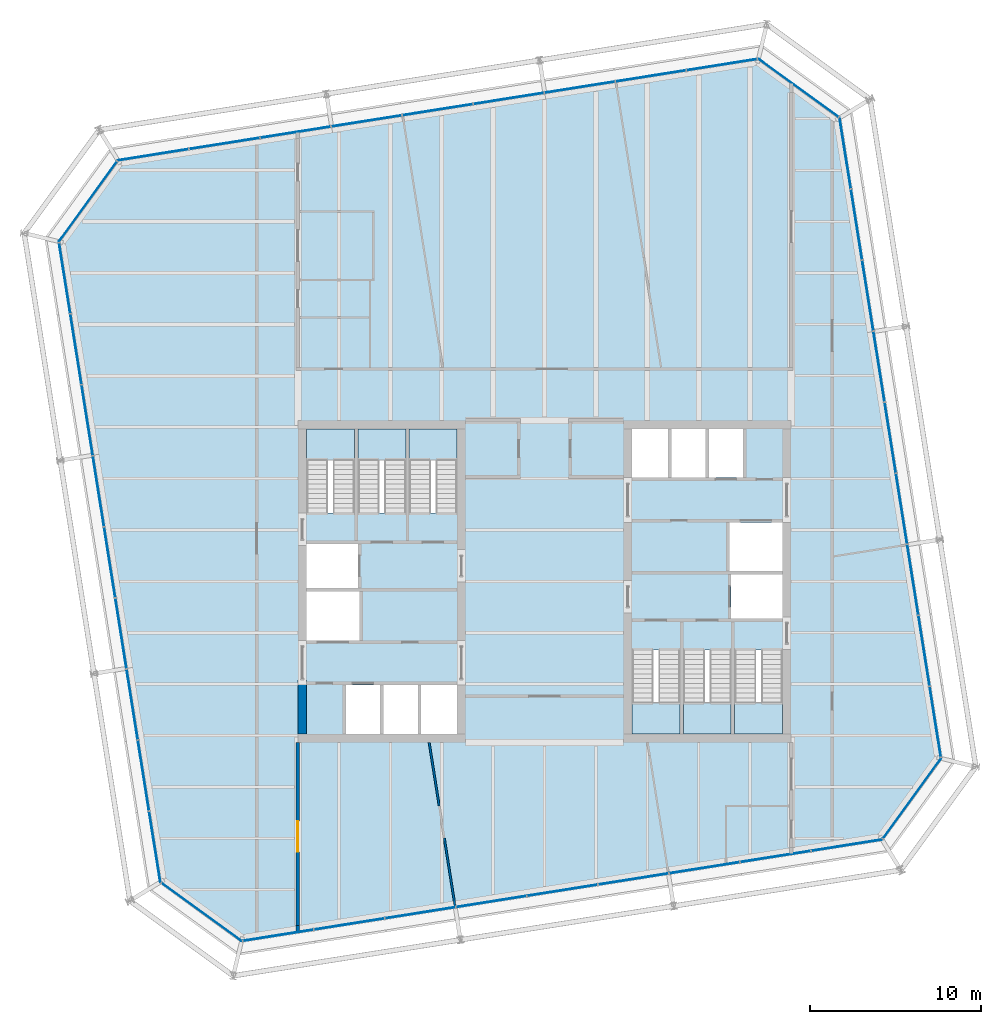
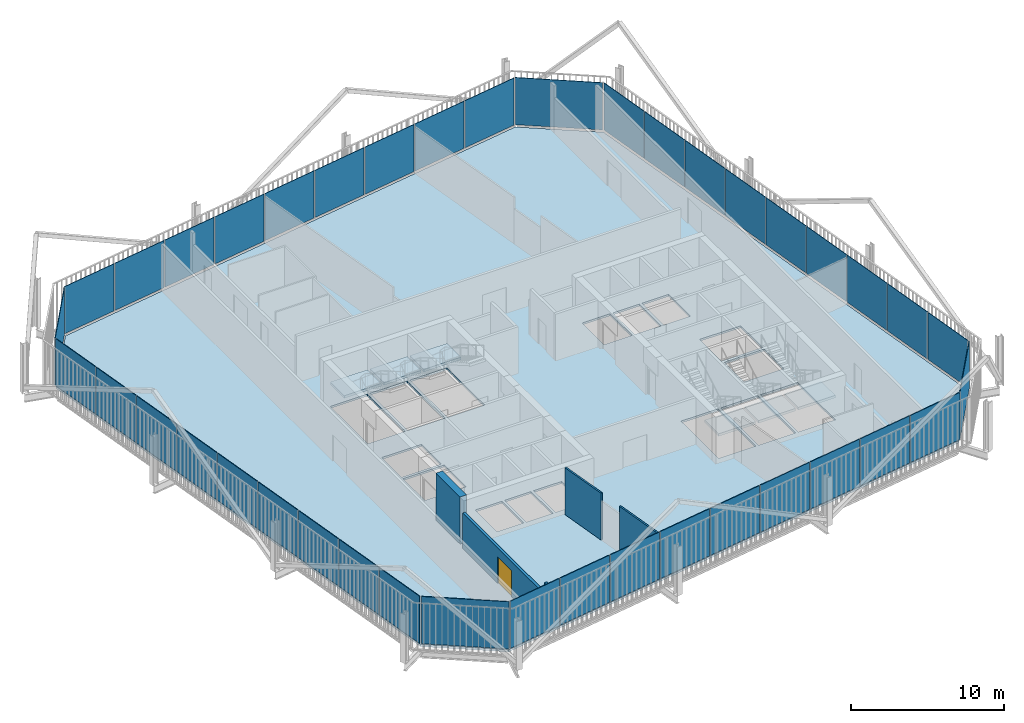
# One storey, part 16 of 21: 40 plates, 7 slabs, 5 walls, 1 door, 1 opening, 14 elements without a shape of their own.
"""IFC4 building model written with IfcOpenShell, lengths in metres."""

import ifcopenshell
import ifcopenshell.guid

model = None  # the IFC model being written
_history = None  # IfcOwnerHistory: only IFC2X3 demands one
_inside = {}  # id of a spatial element -> (the spatial element, [elements in it])
_under = {}  # id of a project, library or spatial element -> (it, [spatial elements below it])
_declared = {}  # id of a project -> (the project, [libraries it declares])
_typed = {}  # id of a type object -> (the type object, [elements of that type])
_made_of = {}  # id of a material, layer set ... -> (it, [elements and type objects made of it])


def new_model(schema):
    """Start an empty IFC model of exactly this schema.

    Asked for "IFC4X3", IfcOpenShell would pick the latest addendum, in which some entities
    have other attributes; the version numbers below select the first issue.
    IFC2X3 requires an IfcOwnerHistory on every rooted entity: one is made here for all.
    """
    global model, _history
    if schema == "IFC4X3":
        model = ifcopenshell.file(schema_version=(4, 3, 0, 0))
    else:
        model = ifcopenshell.file(schema=schema)
    _inside.clear()
    _under.clear()
    _declared.clear()
    _typed.clear()
    _made_of.clear()
    _history = None
    if model.schema == "IFC2X3":
        org = make("IfcOrganization", Name="unknown")
        user = make(
            "IfcPersonAndOrganization",
            ThePerson=make("IfcPerson", FamilyName="unknown"),
            TheOrganization=org,
        )
        app = make(
            "IfcApplication",
            ApplicationDeveloper=org,
            Version="unknown",
            ApplicationFullName="unknown",
            ApplicationIdentifier="unknown",
        )
        _history = make(
            "IfcOwnerHistory",
            OwningUser=user,
            OwningApplication=app,
            ChangeAction="ADDED",
            CreationDate=0,
        )
    return model


def make(cls, **values):
    """One entity of the class cls with the attributes given. An attribute that is None is left unset."""
    return model.create_entity(
        cls, **{name: value for name, value in values.items() if value is not None}
    )


def rooted(cls, **values):
    """An entity with a GlobalId (a new one), such as an element, a storey or a relation."""
    return make(cls, GlobalId=ifcopenshell.guid.new(), OwnerHistory=_history, **values)


def si_unit(unit_type, name, prefix=None):
    """IfcSIUnit, for example si_unit("LENGTHUNIT", "METRE", prefix="MILLI")."""
    return make("IfcSIUnit", UnitType=unit_type, Prefix=prefix, Name=name)


def assignment(units):
    """IfcUnitAssignment: the units of a project."""
    return None if units is None else make("IfcUnitAssignment", Units=units)


def point(xyz):
    """IfcCartesianPoint."""
    return None if xyz is None else make("IfcCartesianPoint", Coordinates=xyz)


def direction(xyz):
    """IfcDirection."""
    return None if xyz is None else make("IfcDirection", DirectionRatios=xyz)


def frame(location, z_axis=None, x_axis=None):
    """IfcAxis2Placement3D, a coordinate frame: its origin and axes. An axis left out is left unset."""
    return make(
        "IfcAxis2Placement3D",
        Location=point(location),
        Axis=direction(z_axis),
        RefDirection=direction(x_axis),
    )


def frame_2d(location, x_axis=None):
    """IfcAxis2Placement2D, a coordinate frame in the plane: its origin and x axis."""
    return make(
        "IfcAxis2Placement2D", Location=point(location), RefDirection=direction(x_axis)
    )


def origin():
    """The frame at (0, 0, 0) with its axes left unset."""
    return frame((0.0, 0.0, 0.0))


def place(relative_to, where):
    """IfcLocalPlacement: puts the frame where relative to a parent placement (None: the world)."""
    return make(
        "IfcLocalPlacement", PlacementRelTo=relative_to, RelativePlacement=where
    )


def context(
    kind, dimensions, precision=None, world=None, true_north=None, identifier=None
):
    """IfcGeometricRepresentationContext, for example the 3D "Model" context."""
    return make(
        "IfcGeometricRepresentationContext",
        ContextIdentifier=identifier,
        ContextType=kind,
        CoordinateSpaceDimension=dimensions,
        Precision=precision,
        WorldCoordinateSystem=world,
        TrueNorth=true_north,
    )


def subcontext(parent, identifier, kind, view, scale=None):
    """IfcGeometricRepresentationSubContext, for example "Body" below "Model"."""
    return make(
        "IfcGeometricRepresentationSubContext",
        ContextIdentifier=identifier,
        ContextType=kind,
        ParentContext=parent,
        TargetScale=scale,
        TargetView=view,
    )


def project(units=None, contexts=None):
    """IfcProject with its units and contexts."""
    return rooted(
        "IfcProject",
        Name="project",
        RepresentationContexts=contexts,
        UnitsInContext=assignment(units),
    )


def spatial(cls, under=None, at=None, **own):
    """A site, building, storey or space (cls), placed at a placement, below another one or the project."""
    s = rooted(cls, ObjectPlacement=at, **own)
    if under is not None:
        _under.setdefault(under.id(), (under, []))[1].append(s)
    return s


def polyline(points):
    """IfcPolyline through the points."""
    return make("IfcPolyline", Points=[point(p) for p in points])


def profile(cls, at=None, kind="AREA", **sizes):
    """A parametric profile (cls). Its sizes go by their IFC names, for example OverallWidth=200.0."""
    return make(cls, ProfileType=kind, Position=at, **sizes)


def rectangle(**sizes):
    """IfcRectangleProfileDef."""
    return profile("IfcRectangleProfileDef", **sizes)


def outline(outer, holes=None, kind="AREA"):
    """IfcArbitraryClosedProfileDef: a profile drawn as a closed curve; with holes, ...WithVoids."""
    if holes is None:
        return make("IfcArbitraryClosedProfileDef", ProfileType=kind, OuterCurve=outer)
    return make(
        "IfcArbitraryProfileDefWithVoids",
        ProfileType=kind,
        OuterCurve=outer,
        InnerCurves=holes,
    )


def extrude(swept, where, along, depth):
    """IfcExtrudedAreaSolid: the profile swept, set in the frame where, extruded along a direction by depth."""
    return make(
        "IfcExtrudedAreaSolid",
        SweptArea=swept,
        Position=where,
        ExtrudedDirection=direction(along),
        Depth=depth,
    )


def shape(context_of_items, identifier, shape_type, items):
    """IfcShapeRepresentation: the items that make up one representation, for example the "Body"."""
    return make(
        "IfcShapeRepresentation",
        ContextOfItems=context_of_items,
        RepresentationIdentifier=identifier,
        RepresentationType=shape_type,
        Items=items,
    )


def material(Name=None, Category=None):
    """IfcMaterial."""
    return make("IfcMaterial", Name=Name, Category=Category)


def layer(
    of_material, thickness, ventilated=None, Name=None, Category=None, Priority=None
):
    """IfcMaterialLayer: one layer of a wall or slab, of a material (None: an air gap)."""
    return make(
        "IfcMaterialLayer",
        Material=of_material,
        LayerThickness=thickness,
        IsVentilated=ventilated,
        Name=Name,
        Category=Category,
        Priority=Priority,
    )


def layer_set(layers, Name=None):
    """IfcMaterialLayerSet."""
    return make("IfcMaterialLayerSet", MaterialLayers=layers, LayerSetName=Name)


def made_of(thing, what):
    """Note that an element or type object is made of a material, layer set ...; save() writes the relation."""
    if what is not None:
        _made_of.setdefault(what.id(), (what, []))[1].append(thing)
    return thing


def type_object(cls, material=None, **own):
    """A type object (cls), such as IfcWallType, which elements share."""
    return made_of(rooted(cls, **own), material)


def element(
    cls,
    number,
    at=None,
    inside=None,
    cuts=None,
    type_object=None,
    material=None,
    context=None,
    identifier="Body",
    shape_type=None,
    held_by="IfcProductDefinitionShape",
    body=None,
    shapes=None,
    **own,
):
    """One element of the class cls, such as IfcWall. Its Tag is "e" and its number.

    at: its placement. inside: the storey or other place that contains it. cuts: it is an
    opening in that element (IfcRelVoidsElement). A single representation is given by context,
    identifier, shape_type and body (its items); several are given by shapes. held_by: the class
    of the entity that holds the representations. save() writes the other relations.
    """
    e = rooted(cls, Tag="e%d" % number, ObjectPlacement=at, **own)
    if body is not None:
        shapes = [shape(context, identifier, shape_type, body)]
    if shapes is not None:
        e.Representation = make(held_by, Representations=shapes)
    if inside is not None:
        _inside.setdefault(inside.id(), (inside, []))[1].append(e)
    if cuts is not None:
        rooted(
            "IfcRelVoidsElement", RelatingBuildingElement=cuts, RelatedOpeningElement=e
        )
    if type_object is not None:
        _typed.setdefault(type_object.id(), (type_object, []))[1].append(e)
    return made_of(e, material)


def fill(opening, filler):
    """IfcRelFillsElement: the door or window that sits in an opening."""
    return rooted(
        "IfcRelFillsElement",
        RelatingOpeningElement=opening,
        RelatedBuildingElement=filler,
    )


def aggregate(whole, parts):
    """IfcRelAggregates: a whole, such as a stair, and the parts it consists of."""
    return rooted("IfcRelAggregates", RelatingObject=whole, RelatedObjects=parts)


def save(model, path):
    """Write the relations noted so far, then the file.

    IfcRelAggregates (storeys below a building ...), IfcRelContainedInSpatialStructure (elements
    in a storey), IfcRelDefinesByType, IfcRelAssociatesMaterial and IfcRelDeclares: one each for
    every whole, place, type object, material and project.
    """
    for whole, parts in _under.values():
        aggregate(whole, parts)
    for where, things in _inside.values():
        rooted(
            "IfcRelContainedInSpatialStructure",
            RelatedElements=things,
            RelatingStructure=where,
        )
    for kind, things in _typed.values():
        rooted("IfcRelDefinesByType", RelatedObjects=things, RelatingType=kind)
    for what, things in _made_of.values():
        rooted("IfcRelAssociatesMaterial", RelatedObjects=things, RelatingMaterial=what)
    for by, libraries in _declared.values():
        rooted("IfcRelDeclares", RelatingContext=by, RelatedDefinitions=libraries)
    model.write(path)


model = new_model("IFC4")

# Units and contexts
model_context = context("Model", 3, precision=1e-05, world=origin(), true_north=direction((0.0, 1.0)))
body_context = subcontext(model_context, "Body", "Model", "MODEL_VIEW")
ifc_project = project(units=[si_unit("LENGTHUNIT", "METRE"), si_unit("AREAUNIT", "SQUARE_METRE"), si_unit("VOLUMEUNIT", "CUBIC_METRE"), si_unit("PLANEANGLEUNIT", "RADIAN"), si_unit("MASSUNIT", "GRAM", prefix="KILO")], contexts=[model_context])

# Site, building, storey
site_placement = place(None, origin())
site = spatial("IfcSite", under=ifc_project, at=site_placement, CompositionType="ELEMENT")
building_placement = place(site_placement, origin())
building = spatial("IfcBuilding", under=site, at=building_placement, Name="Millrace Tower", CompositionType="ELEMENT")
storey_placement = place(building_placement, frame((0.0, 0.0, 228.10009765625)))
storey = spatial("IfcBuildingStorey", under=building, at=storey_placement, Name="L52", CompositionType="ELEMENT", Elevation=228.10009765625)

# Curtain wall, plate
ifc_material_1 = material(Name="Aluminium and glass", Category="aluminium")
ifc_layer_1 = layer(ifc_material_1, 0.14990234375)
ifc_layer_set_1 = layer_set([ifc_layer_1], Name="Aluminium and glass")
curtain_wall_type = type_object("IfcCurtainWallType", Name="CW-1 office vision curtain wall", PredefinedType="NOTDEFINED", material=ifc_layer_set_1)
placement_1 = place(storey_placement, origin())
curtain_wall_1 = element("IfcCurtainWall", 1, at=placement_1, inside=storey, type_object=curtain_wall_type, Name="Curtain wall D-F01 L52", PredefinedType="NOTDEFINED")
ifc_material_2 = material(Name="Glass", Category="glass")
ifc_layer_2 = layer(ifc_material_2, 0.0439453125)
ifc_layer_set_2 = layer_set([ifc_layer_2], Name="Glass")
plate_type = type_object("IfcPlateType", Name="CW-1 office vision curtain wall triple-glazed vision panel", PredefinedType="CURTAIN_PANEL", material=ifc_layer_set_2)
placement_2 = place(storey_placement, frame((0.0, 0.0, 0.139892578125)))
plate_1 = element("IfcPlate", 2, at=placement_2, type_object=plate_type, Name="CW1 panel D-F01.1", PredefinedType="CURTAIN_PANEL", context=body_context, shape_type="SweptSolid", body=[
    extrude(outline(polyline([(-22.36474609375, -17.632080078125), (-17.69384765625, -21.025634765625), (-17.6826171875, -20.979248046875), (-22.3388671875, -17.596435546875), (-22.36474609375, -17.632080078125)])), origin(), (0.0, 0.0, 1.0), 3.760009765625),
])
aggregate(curtain_wall_1, [plate_1])

# Curtain wall, plates
curtain_wall_2 = element("IfcCurtainWall", 3, at=placement_1, inside=storey, type_object=curtain_wall_type, Name="Curtain wall D-F02 L52", PredefinedType="NOTDEFINED")
plate_2 = element("IfcPlate", 4, at=placement_2, type_object=plate_type, Name="CW1 panel D-F02.1", PredefinedType="CURTAIN_PANEL", context=body_context, shape_type="SweptSolid", body=[
    extrude(outline(polyline([(-17.58984375, -21.009033203125), (-13.505859375, -20.3623046875), (-13.5126953125, -20.31884765625), (-17.596923828125, -20.965576171875), (-17.58984375, -21.009033203125)])), origin(), (0.0, 0.0, 1.0), 3.760009765625),
])
plate_3 = element("IfcPlate", 5, at=placement_2, type_object=plate_type, Name="CW1 panel D-F02.2", PredefinedType="CURTAIN_PANEL", context=body_context, shape_type="SweptSolid", body=[
    extrude(outline(polyline([(-13.441650390625, -20.35205078125), (-9.357666015625, -19.705078125), (-9.364501953125, -19.66162109375), (-13.448486328125, -20.30859375), (-13.441650390625, -20.35205078125)])), origin(), (0.0, 0.0, 1.0), 3.760009765625),
])
plate_4 = element("IfcPlate", 6, at=placement_2, type_object=plate_type, Name="CW1 panel D-F02.3", PredefinedType="CURTAIN_PANEL", context=body_context, shape_type="SweptSolid", body=[
    extrude(outline(polyline([(-9.29345703125, -19.695068359375), (-5.209228515625, -19.048095703125), (-5.216064453125, -19.004638671875), (-9.30029296875, -19.651611328125), (-9.29345703125, -19.695068359375)])), origin(), (0.0, 0.0, 1.0), 3.760009765625),
])
plate_5 = element("IfcPlate", 7, at=placement_2, type_object=plate_type, Name="CW1 panel D-F02.4", PredefinedType="CURTAIN_PANEL", context=body_context, shape_type="SweptSolid", body=[
    extrude(outline(polyline([(-5.14501953125, -19.0380859375), (-1.06103515625, -18.39111328125), (-1.06787109375, -18.34765625), (-5.15185546875, -18.99462890625), (-5.14501953125, -19.0380859375)])), origin(), (0.0, 0.0, 1.0), 3.760009765625),
])
plate_6 = element("IfcPlate", 8, at=placement_2, type_object=plate_type, Name="CW1 panel D-F02.5", PredefinedType="CURTAIN_PANEL", context=body_context, shape_type="SweptSolid", body=[
    extrude(outline(polyline([(-0.996826171875, -18.380859375), (3.08740234375, -17.734130859375), (3.080322265625, -17.690673828125), (-1.003662109375, -18.33740234375), (-0.996826171875, -18.380859375)])), origin(), (0.0, 0.0, 1.0), 3.760009765625),
])
plate_7 = element("IfcPlate", 9, at=placement_2, type_object=plate_type, Name="CW1 panel D-F02.6", PredefinedType="CURTAIN_PANEL", context=body_context, shape_type="SweptSolid", body=[
    extrude(outline(polyline([(3.151611328125, -17.723876953125), (7.235595703125, -17.0771484375), (7.228759765625, -17.03369140625), (3.14453125, -17.680419921875), (3.151611328125, -17.723876953125)])), origin(), (0.0, 0.0, 1.0), 3.760009765625),
])
plate_8 = element("IfcPlate", 10, at=placement_2, type_object=plate_type, Name="CW1 panel D-F02.7", PredefinedType="CURTAIN_PANEL", context=body_context, shape_type="SweptSolid", body=[
    extrude(outline(polyline([(7.2998046875, -17.06689453125), (11.3837890625, -16.420166015625), (11.376953125, -16.376708984375), (7.29296875, -17.0234375), (7.2998046875, -17.06689453125)])), origin(), (0.0, 0.0, 1.0), 3.760009765625),
])
plate_9 = element("IfcPlate", 11, at=placement_2, type_object=plate_type, Name="CW1 panel D-F02.8", PredefinedType="CURTAIN_PANEL", context=body_context, shape_type="SweptSolid", body=[
    extrude(outline(polyline([(11.447998046875, -16.409912109375), (15.5322265625, -15.762939453125), (15.525390625, -15.719482421875), (11.441162109375, -16.366455078125), (11.447998046875, -16.409912109375)])), origin(), (0.0, 0.0, 1.0), 3.760009765625),
])
plate_10 = element("IfcPlate", 12, at=placement_2, type_object=plate_type, Name="CW1 panel D-F02.9", PredefinedType="CURTAIN_PANEL", context=body_context, shape_type="SweptSolid", body=[
    extrude(outline(polyline([(15.596435546875, -15.7529296875), (19.72021484375, -15.099853515625), (19.6953125, -15.05908203125), (15.589599609375, -15.70947265625), (15.596435546875, -15.7529296875)])), origin(), (0.0, 0.0, 1.0), 3.760009765625),
])
aggregate(curtain_wall_2, [plate_2, plate_3, plate_4, plate_5, plate_6, plate_7, plate_8, plate_9, plate_10])

# Curtain wall, plate
curtain_wall_3 = element("IfcCurtainWall", 13, at=placement_1, inside=storey, type_object=curtain_wall_type, Name="Curtain wall D-F03 L52", PredefinedType="NOTDEFINED")
plate_11 = element("IfcPlate", 14, at=placement_2, type_object=plate_type, Name="CW1 panel D-F03.1", PredefinedType="CURTAIN_PANEL", context=body_context, shape_type="SweptSolid", body=[
    extrude(outline(polyline([(19.781982421875, -15.0146484375), (23.175537109375, -10.34375), (23.129150390625, -10.332763671875), (19.746337890625, -14.98876953125), (19.781982421875, -15.0146484375)])), origin(), (0.0, 0.0, 1.0), 3.760009765625),
])
aggregate(curtain_wall_3, [plate_11])

# Curtain wall, plates
curtain_wall_4 = element("IfcCurtainWall", 15, at=placement_1, inside=storey, type_object=curtain_wall_type, Name="Curtain wall D-F04 L52", PredefinedType="NOTDEFINED")
plate_12 = element("IfcPlate", 16, at=placement_2, type_object=plate_type, Name="CW1 panel D-F04.1", PredefinedType="CURTAIN_PANEL", context=body_context, shape_type="SweptSolid", body=[
    extrude(outline(polyline([(23.1591796875, -10.239990234375), (22.51220703125, -6.15576171875), (22.46875, -6.162841796875), (23.11572265625, -10.246826171875), (23.1591796875, -10.239990234375)])), origin(), (0.0, 0.0, 1.0), 3.760009765625),
])
plate_13 = element("IfcPlate", 17, at=placement_2, type_object=plate_type, Name="CW1 panel D-F04.2", PredefinedType="CURTAIN_PANEL", context=body_context, shape_type="SweptSolid", body=[
    extrude(outline(polyline([(22.501953125, -6.091552734375), (21.855224609375, -2.007568359375), (21.811767578125, -2.014404296875), (22.45849609375, -6.0986328125), (22.501953125, -6.091552734375)])), origin(), (0.0, 0.0, 1.0), 3.760009765625),
])
plate_14 = element("IfcPlate", 18, at=placement_2, type_object=plate_type, Name="CW1 panel D-F04.3", PredefinedType="CURTAIN_PANEL", context=body_context, shape_type="SweptSolid", body=[
    extrude(outline(polyline([(21.844970703125, -1.943359375), (21.1982421875, 2.140625), (21.15478515625, 2.1337890625), (21.801513671875, -1.9501953125), (21.844970703125, -1.943359375)])), origin(), (0.0, 0.0, 1.0), 3.760009765625),
])
plate_15 = element("IfcPlate", 19, at=placement_2, type_object=plate_type, Name="CW1 panel D-F04.4", PredefinedType="CURTAIN_PANEL", context=body_context, shape_type="SweptSolid", body=[
    extrude(outline(polyline([(21.18798828125, 2.204833984375), (20.541259765625, 6.2890625), (20.497802734375, 6.2822265625), (21.14453125, 2.197998046875), (21.18798828125, 2.204833984375)])), origin(), (0.0, 0.0, 1.0), 3.760009765625),
])
plate_16 = element("IfcPlate", 20, at=placement_2, type_object=plate_type, Name="CW1 panel D-F04.5", PredefinedType="CURTAIN_PANEL", context=body_context, shape_type="SweptSolid", body=[
    extrude(outline(polyline([(20.531005859375, 6.353271484375), (19.884033203125, 10.437255859375), (19.840576171875, 10.430419921875), (20.487548828125, 6.346435546875), (20.531005859375, 6.353271484375)])), origin(), (0.0, 0.0, 1.0), 3.760009765625),
])
plate_17 = element("IfcPlate", 21, at=placement_2, type_object=plate_type, Name="CW1 panel D-F04.6", PredefinedType="CURTAIN_PANEL", context=body_context, shape_type="SweptSolid", body=[
    extrude(outline(polyline([(19.8740234375, 10.50146484375), (19.22705078125, 14.585693359375), (19.18359375, 14.57861328125), (19.83056640625, 10.49462890625), (19.8740234375, 10.50146484375)])), origin(), (0.0, 0.0, 1.0), 3.760009765625),
])
plate_18 = element("IfcPlate", 22, at=placement_2, type_object=plate_type, Name="CW1 panel D-F04.7", PredefinedType="CURTAIN_PANEL", context=body_context, shape_type="SweptSolid", body=[
    extrude(outline(polyline([(19.217041015625, 14.64990234375), (18.570068359375, 18.73388671875), (18.526611328125, 18.72705078125), (19.173583984375, 14.642822265625), (19.217041015625, 14.64990234375)])), origin(), (0.0, 0.0, 1.0), 3.760009765625),
])
plate_19 = element("IfcPlate", 23, at=placement_2, type_object=plate_type, Name="CW1 panel D-F04.8", PredefinedType="CURTAIN_PANEL", context=body_context, shape_type="SweptSolid", body=[
    extrude(outline(polyline([(18.559814453125, 18.798095703125), (17.9130859375, 22.882080078125), (17.86962890625, 22.875244140625), (18.516357421875, 18.791259765625), (18.559814453125, 18.798095703125)])), origin(), (0.0, 0.0, 1.0), 3.760009765625),
])
plate_20 = element("IfcPlate", 24, at=placement_2, type_object=plate_type, Name="CW1 panel D-F04.9", PredefinedType="CURTAIN_PANEL", context=body_context, shape_type="SweptSolid", body=[
    extrude(outline(polyline([(17.90283203125, 22.9462890625), (17.249755859375, 27.070068359375), (17.209228515625, 27.045166015625), (17.859375, 22.939453125), (17.90283203125, 22.9462890625)])), origin(), (0.0, 0.0, 1.0), 3.760009765625),
])
aggregate(curtain_wall_4, [plate_12, plate_13, plate_14, plate_15, plate_16, plate_17, plate_18, plate_19, plate_20])

# Curtain wall, plate
curtain_wall_5 = element("IfcCurtainWall", 25, at=placement_1, inside=storey, type_object=curtain_wall_type, Name="Curtain wall D-F05 L52", PredefinedType="NOTDEFINED")
plate_21 = element("IfcPlate", 26, at=placement_2, type_object=plate_type, Name="CW1 panel D-F05.1", PredefinedType="CURTAIN_PANEL", context=body_context, shape_type="SweptSolid", body=[
    extrude(outline(polyline([(17.16455078125, 27.132080078125), (12.493896484375, 30.525634765625), (12.482666015625, 30.479248046875), (17.138671875, 27.096435546875), (17.16455078125, 27.132080078125)])), origin(), (0.0, 0.0, 1.0), 3.760009765625),
])
aggregate(curtain_wall_5, [plate_21])

# Curtain wall, plates
curtain_wall_6 = element("IfcCurtainWall", 27, at=placement_1, inside=storey, type_object=curtain_wall_type, Name="Curtain wall D-F06 L52", PredefinedType="NOTDEFINED")
plate_22 = element("IfcPlate", 28, at=placement_2, type_object=plate_type, Name="CW1 panel D-F06.1", PredefinedType="CURTAIN_PANEL", context=body_context, shape_type="SweptSolid", body=[
    extrude(outline(polyline([(12.389892578125, 30.509033203125), (8.305908203125, 29.8623046875), (8.312744140625, 29.81884765625), (12.396728515625, 30.465576171875), (12.389892578125, 30.509033203125)])), origin(), (0.0, 0.0, 1.0), 3.760009765625),
])
plate_23 = element("IfcPlate", 29, at=placement_2, type_object=plate_type, Name="CW1 panel D-F06.2", PredefinedType="CURTAIN_PANEL", context=body_context, shape_type="SweptSolid", body=[
    extrude(outline(polyline([(8.24169921875, 29.85205078125), (4.157470703125, 29.205078125), (4.16455078125, 29.16162109375), (8.24853515625, 29.80859375), (8.24169921875, 29.85205078125)])), origin(), (0.0, 0.0, 1.0), 3.760009765625),
])
plate_24 = element("IfcPlate", 30, at=placement_2, type_object=plate_type, Name="CW1 panel D-F06.3", PredefinedType="CURTAIN_PANEL", context=body_context, shape_type="SweptSolid", body=[
    extrude(outline(polyline([(4.09326171875, 29.195068359375), (0.00927734375, 28.548095703125), (0.01611328125, 28.504638671875), (4.100341796875, 29.151611328125), (4.09326171875, 29.195068359375)])), origin(), (0.0, 0.0, 1.0), 3.760009765625),
])
plate_25 = element("IfcPlate", 31, at=placement_2, type_object=plate_type, Name="CW1 panel D-F06.4", PredefinedType="CURTAIN_PANEL", context=body_context, shape_type="SweptSolid", body=[
    extrude(outline(polyline([(-0.054931640625, 28.5380859375), (-4.138916015625, 27.89111328125), (-4.132080078125, 27.84765625), (-0.048095703125, 28.49462890625), (-0.054931640625, 28.5380859375)])), origin(), (0.0, 0.0, 1.0), 3.760009765625),
])
plate_26 = element("IfcPlate", 32, at=placement_2, type_object=plate_type, Name="CW1 panel D-F06.5", PredefinedType="CURTAIN_PANEL", context=body_context, shape_type="SweptSolid", body=[
    extrude(outline(polyline([(-4.203125, 27.880859375), (-8.287353515625, 27.234130859375), (-8.280517578125, 27.190673828125), (-4.1962890625, 27.83740234375), (-4.203125, 27.880859375)])), origin(), (0.0, 0.0, 1.0), 3.760009765625),
])
plate_27 = element("IfcPlate", 33, at=placement_2, type_object=plate_type, Name="CW1 panel D-F06.6", PredefinedType="CURTAIN_PANEL", context=body_context, shape_type="SweptSolid", body=[
    extrude(outline(polyline([(-8.3515625, 27.223876953125), (-12.435546875, 26.5771484375), (-12.4287109375, 26.53369140625), (-8.3447265625, 27.180419921875), (-8.3515625, 27.223876953125)])), origin(), (0.0, 0.0, 1.0), 3.760009765625),
])
plate_28 = element("IfcPlate", 34, at=placement_2, type_object=plate_type, Name="CW1 panel D-F06.7", PredefinedType="CURTAIN_PANEL", context=body_context, shape_type="SweptSolid", body=[
    extrude(outline(polyline([(-12.499755859375, 26.56689453125), (-16.583984375, 25.920166015625), (-16.576904296875, 25.876708984375), (-12.492919921875, 26.5234375), (-12.499755859375, 26.56689453125)])), origin(), (0.0, 0.0, 1.0), 3.760009765625),
])
plate_29 = element("IfcPlate", 35, at=placement_2, type_object=plate_type, Name="CW1 panel D-F06.8", PredefinedType="CURTAIN_PANEL", context=body_context, shape_type="SweptSolid", body=[
    extrude(outline(polyline([(-16.648193359375, 25.909912109375), (-20.732177734375, 25.262939453125), (-20.725341796875, 25.219482421875), (-16.64111328125, 25.866455078125), (-16.648193359375, 25.909912109375)])), origin(), (0.0, 0.0, 1.0), 3.760009765625),
])
plate_30 = element("IfcPlate", 36, at=placement_2, type_object=plate_type, Name="CW1 panel D-F06.9", PredefinedType="CURTAIN_PANEL", context=body_context, shape_type="SweptSolid", body=[
    extrude(outline(polyline([(-20.79638671875, 25.2529296875), (-24.920166015625, 24.599853515625), (-24.895263671875, 24.55908203125), (-20.78955078125, 25.20947265625), (-20.79638671875, 25.2529296875)])), origin(), (0.0, 0.0, 1.0), 3.760009765625),
])
aggregate(curtain_wall_6, [plate_22, plate_23, plate_24, plate_25, plate_26, plate_27, plate_28, plate_29, plate_30])

# Curtain wall, plate
curtain_wall_7 = element("IfcCurtainWall", 37, at=placement_1, inside=storey, type_object=curtain_wall_type, Name="Curtain wall D-F07 L52", PredefinedType="NOTDEFINED")
plate_31 = element("IfcPlate", 38, at=placement_2, type_object=plate_type, Name="CW1 panel D-F07.1", PredefinedType="CURTAIN_PANEL", context=body_context, shape_type="SweptSolid", body=[
    extrude(outline(polyline([(-24.98193359375, 24.5146484375), (-28.37548828125, 19.84375), (-28.329345703125, 19.832763671875), (-24.9462890625, 24.48876953125), (-24.98193359375, 24.5146484375)])), origin(), (0.0, 0.0, 1.0), 3.760009765625),
])
aggregate(curtain_wall_7, [plate_31])

# Curtain wall, plates
curtain_wall_8 = element("IfcCurtainWall", 39, at=placement_1, inside=storey, type_object=curtain_wall_type, Name="Curtain wall D-F08 L52", PredefinedType="NOTDEFINED")
plate_32 = element("IfcPlate", 40, at=placement_2, type_object=plate_type, Name="CW1 panel D-F08.1", PredefinedType="CURTAIN_PANEL", context=body_context, shape_type="SweptSolid", body=[
    extrude(outline(polyline([(-28.359130859375, 19.739990234375), (-27.712158203125, 15.65576171875), (-27.668701171875, 15.662841796875), (-28.315673828125, 19.746826171875), (-28.359130859375, 19.739990234375)])), origin(), (0.0, 0.0, 1.0), 3.760009765625),
])
plate_33 = element("IfcPlate", 41, at=placement_2, type_object=plate_type, Name="CW1 panel D-F08.2", PredefinedType="CURTAIN_PANEL", context=body_context, shape_type="SweptSolid", body=[
    extrude(outline(polyline([(-27.7021484375, 15.591552734375), (-27.05517578125, 11.507568359375), (-27.01171875, 11.514404296875), (-27.65869140625, 15.5986328125), (-27.7021484375, 15.591552734375)])), origin(), (0.0, 0.0, 1.0), 3.760009765625),
])
plate_34 = element("IfcPlate", 42, at=placement_2, type_object=plate_type, Name="CW1 panel D-F08.3", PredefinedType="CURTAIN_PANEL", context=body_context, shape_type="SweptSolid", body=[
    extrude(outline(polyline([(-27.044921875, 11.443359375), (-26.398193359375, 7.359375), (-26.354736328125, 7.3662109375), (-27.00146484375, 11.4501953125), (-27.044921875, 11.443359375)])), origin(), (0.0, 0.0, 1.0), 3.760009765625),
])
plate_35 = element("IfcPlate", 43, at=placement_2, type_object=plate_type, Name="CW1 panel D-F08.4", PredefinedType="CURTAIN_PANEL", context=body_context, shape_type="SweptSolid", body=[
    extrude(outline(polyline([(-26.387939453125, 7.295166015625), (-25.7412109375, 3.2109375), (-25.69775390625, 3.2177734375), (-26.344482421875, 7.302001953125), (-26.387939453125, 7.295166015625)])), origin(), (0.0, 0.0, 1.0), 3.760009765625),
])
plate_36 = element("IfcPlate", 44, at=placement_2, type_object=plate_type, Name="CW1 panel D-F08.5", PredefinedType="CURTAIN_PANEL", context=body_context, shape_type="SweptSolid", body=[
    extrude(outline(polyline([(-25.73095703125, 3.146728515625), (-25.084228515625, -0.937255859375), (-25.040771484375, -0.930419921875), (-25.6875, 3.153564453125), (-25.73095703125, 3.146728515625)])), origin(), (0.0, 0.0, 1.0), 3.760009765625),
])
plate_37 = element("IfcPlate", 45, at=placement_2, type_object=plate_type, Name="CW1 panel D-F08.6", PredefinedType="CURTAIN_PANEL", context=body_context, shape_type="SweptSolid", body=[
    extrude(outline(polyline([(-25.073974609375, -1.00146484375), (-24.427001953125, -5.085693359375), (-24.383544921875, -5.07861328125), (-25.030517578125, -0.99462890625), (-25.073974609375, -1.00146484375)])), origin(), (0.0, 0.0, 1.0), 3.760009765625),
])
plate_38 = element("IfcPlate", 46, at=placement_2, type_object=plate_type, Name="CW1 panel D-F08.7", PredefinedType="CURTAIN_PANEL", context=body_context, shape_type="SweptSolid", body=[
    extrude(outline(polyline([(-24.4169921875, -5.14990234375), (-23.77001953125, -9.23388671875), (-23.7265625, -9.22705078125), (-24.37353515625, -5.142822265625), (-24.4169921875, -5.14990234375)])), origin(), (0.0, 0.0, 1.0), 3.760009765625),
])
plate_39 = element("IfcPlate", 47, at=placement_2, type_object=plate_type, Name="CW1 panel D-F08.8", PredefinedType="CURTAIN_PANEL", context=body_context, shape_type="SweptSolid", body=[
    extrude(outline(polyline([(-23.760009765625, -9.298095703125), (-23.113037109375, -13.382080078125), (-23.069580078125, -13.375244140625), (-23.716552734375, -9.291259765625), (-23.760009765625, -9.298095703125)])), origin(), (0.0, 0.0, 1.0), 3.760009765625),
])
plate_40 = element("IfcPlate", 48, at=placement_2, type_object=plate_type, Name="CW1 panel D-F08.9", PredefinedType="CURTAIN_PANEL", context=body_context, shape_type="SweptSolid", body=[
    extrude(outline(polyline([(-23.102783203125, -13.4462890625), (-22.44970703125, -17.570068359375), (-22.4091796875, -17.545166015625), (-23.059326171875, -13.439453125), (-23.102783203125, -13.4462890625)])), origin(), (0.0, 0.0, 1.0), 3.760009765625),
])
aggregate(curtain_wall_8, [plate_32, plate_33, plate_34, plate_35, plate_36, plate_37, plate_38, plate_39, plate_40])

# Slab
ifc_material_3 = material(Name="Concrete C35 on steel deck", Category="concrete")
ifc_layer_3 = layer(ifc_material_3, 0.159912109375)
ifc_layer_set_3 = layer_set([ifc_layer_3], Name="Concrete C35 on steel deck")
slab_type_1 = type_object("IfcSlabType", Name="Composite floor slab 160 mm", PredefinedType="FLOOR", material=ifc_layer_set_3)
slab_1_placement = place(storey_placement, frame((0.0, 0.0, -0.16015625)))
element("IfcSlab", 49, at=slab_1_placement, inside=storey, type_object=slab_type_1, Name="SL-D-L52-S1", PredefinedType="FLOOR", context=body_context, shape_type="SweptSolid", body=[
    extrude(outline(polyline([(-22.360107421875, -17.515380859375), (-17.66943359375, -20.92333984375), (19.665283203125, -15.01025390625), (23.073486328125, -10.3193359375), (17.16015625, 27.015380859375), (12.46923828125, 30.42333984375), (-24.865234375, 24.51025390625), (-28.2734375, 19.8193359375), (-22.360107421875, -17.515380859375)]), holes=[polyline([(-11.60009765625, -8.89990234375), (-9.60009765625, -8.89990234375), (-9.60009765625, -6.050048828125), (-11.60009765625, -6.050048828125), (-11.60009765625, -8.89990234375)]), polyline([(-9.39990234375, -8.89990234375), (-7.39990234375, -8.89990234375), (-7.39990234375, -6.050048828125), (-9.39990234375, -6.050048828125), (-9.39990234375, -8.89990234375)]), polyline([(-7.199951171875, -8.89990234375), (-5.10009765625, -8.89990234375), (-5.10009765625, -6.050048828125), (-7.199951171875, -6.050048828125), (-7.199951171875, -8.89990234375)]), polyline([(-13.89990234375, -3.449951171875), (-10.800048828125, -3.449951171875), (-10.800048828125, -0.60009765625), (-13.89990234375, -0.60009765625), (-13.89990234375, -3.449951171875)]), polyline([(-13.89990234375, -0.39990234375), (-10.89990234375, -0.39990234375), (-10.89990234375, 2.179931640625), (-13.89990234375, 2.179931640625), (-13.89990234375, -0.39990234375)]), polyline([(-13.89990234375, 4.0), (-11.10009765625, 4.0), (-11.10009765625, 8.89990234375), (-13.89990234375, 8.89990234375), (-13.89990234375, 4.0)]), polyline([(-10.89990234375, 4.0), (-8.10009765625, 4.0), (-8.10009765625, 8.89990234375), (-10.89990234375, 8.89990234375), (-10.89990234375, 4.0)]), polyline([(-7.89990234375, 4.0), (-5.10009765625, 4.0), (-5.10009765625, 8.89990234375), (-7.89990234375, 8.89990234375), (-7.89990234375, 4.0)]), polyline([(9.60009765625, 6.050048828125), (11.60009765625, 6.050048828125), (11.60009765625, 8.89990234375), (9.60009765625, 8.89990234375), (9.60009765625, 6.050048828125)]), polyline([(7.39990234375, 6.050048828125), (9.39990234375, 6.050048828125), (9.39990234375, 8.89990234375), (7.39990234375, 8.89990234375), (7.39990234375, 6.050048828125)]), polyline([(5.10009765625, 6.050048828125), (7.199951171875, 6.050048828125), (7.199951171875, 8.89990234375), (5.10009765625, 8.89990234375), (5.10009765625, 6.050048828125)]), polyline([(10.800048828125, 0.60009765625), (13.89990234375, 0.60009765625), (13.89990234375, 3.449951171875), (10.800048828125, 3.449951171875), (10.800048828125, 0.60009765625)]), polyline([(10.89990234375, -2.179931640625), (13.89990234375, -2.179931640625), (13.89990234375, 0.39990234375), (10.89990234375, 0.39990234375), (10.89990234375, -2.179931640625)]), polyline([(11.10009765625, -8.89990234375), (13.89990234375, -8.89990234375), (13.89990234375, -4.0), (11.10009765625, -4.0), (11.10009765625, -8.89990234375)]), polyline([(8.10009765625, -8.89990234375), (10.89990234375, -8.89990234375), (10.89990234375, -4.0), (8.10009765625, -4.0), (8.10009765625, -8.89990234375)]), polyline([(5.10009765625, -8.89990234375), (7.89990234375, -8.89990234375), (7.89990234375, -4.0), (5.10009765625, -4.0), (5.10009765625, -8.89990234375)])]), origin(), (0.0, 0.0, 1.0), 0.16015625),
])

# Stair, slab
ifc_material_4 = material(Name="Concrete C35", Category="concrete")
stair_type = type_object("IfcStairType", Name="Exit stair", PredefinedType="HALF_TURN_STAIR", material=ifc_material_4)
stair_1 = element("IfcStair", 50, at=placement_1, inside=storey, type_object=stair_type, Name="Stair 1 W L52", PredefinedType="HALF_TURN_STAIR")
ifc_material_5 = material(Name="Concrete C40", Category="concrete")
ifc_layer_4 = layer(ifc_material_5, 0.199951171875)
ifc_layer_set_4 = layer_set([ifc_layer_4], Name="Concrete C40")
slab_type_2 = type_object("IfcSlabType", Name="Stair landing", PredefinedType="LANDING", material=ifc_layer_set_4)
placement_3 = place(storey_placement, frame((0.0, 0.0, 1.75)))
slab_2 = element("IfcSlab", 51, at=placement_3, type_object=slab_type_2, Name="ST12 landing 1", PredefinedType="LANDING", context=body_context, shape_type="SweptSolid", body=[
    extrude(outline(polyline([(-13.89990234375, 7.080078125), (-11.10009765625, 7.080078125), (-11.10009765625, 8.89990234375), (-13.89990234375, 8.89990234375), (-13.89990234375, 7.080078125)])), origin(), (0.0, 0.0, 1.0), 0.199951171875),
])
aggregate(stair_1, [slab_2])

stair_2 = element("IfcStair", 52, at=placement_1, inside=storey, type_object=stair_type, Name="Stair 2 W L52", PredefinedType="HALF_TURN_STAIR")
slab_3 = element("IfcSlab", 53, at=placement_3, type_object=slab_type_2, Name="ST12 landing 1", PredefinedType="LANDING", context=body_context, shape_type="SweptSolid", body=[
    extrude(outline(polyline([(-10.89990234375, 7.080078125), (-8.10009765625, 7.080078125), (-8.10009765625, 8.89990234375), (-10.89990234375, 8.89990234375), (-10.89990234375, 7.080078125)])), origin(), (0.0, 0.0, 1.0), 0.199951171875),
])
aggregate(stair_2, [slab_3])

stair_3 = element("IfcStair", 54, at=placement_1, inside=storey, type_object=stair_type, Name="Stair 3 W L52", PredefinedType="HALF_TURN_STAIR")
slab_4 = element("IfcSlab", 55, at=placement_3, type_object=slab_type_2, Name="ST12 landing 1", PredefinedType="LANDING", context=body_context, shape_type="SweptSolid", body=[
    extrude(outline(polyline([(-7.89990234375, 7.080078125), (-5.10009765625, 7.080078125), (-5.10009765625, 8.89990234375), (-7.89990234375, 8.89990234375), (-7.89990234375, 7.080078125)])), origin(), (0.0, 0.0, 1.0), 0.199951171875),
])
aggregate(stair_3, [slab_4])

stair_4 = element("IfcStair", 56, at=placement_1, inside=storey, type_object=stair_type, Name="Stair 1 E L52", PredefinedType="HALF_TURN_STAIR")
slab_5 = element("IfcSlab", 57, at=placement_3, type_object=slab_type_2, Name="ST12 landing 1", PredefinedType="LANDING", context=body_context, shape_type="SweptSolid", body=[
    extrude(outline(polyline([(11.10009765625, -8.89990234375), (13.89990234375, -8.89990234375), (13.89990234375, -7.080078125), (11.10009765625, -7.080078125), (11.10009765625, -8.89990234375)])), origin(), (0.0, 0.0, 1.0), 0.199951171875),
])
aggregate(stair_4, [slab_5])

stair_5 = element("IfcStair", 58, at=placement_1, inside=storey, type_object=stair_type, Name="Stair 2 E L52", PredefinedType="HALF_TURN_STAIR")
slab_6 = element("IfcSlab", 59, at=placement_3, type_object=slab_type_2, Name="ST12 landing 1", PredefinedType="LANDING", context=body_context, shape_type="SweptSolid", body=[
    extrude(outline(polyline([(8.10009765625, -8.89990234375), (10.89990234375, -8.89990234375), (10.89990234375, -7.080078125), (8.10009765625, -7.080078125), (8.10009765625, -8.89990234375)])), origin(), (0.0, 0.0, 1.0), 0.199951171875),
])
aggregate(stair_5, [slab_6])

stair_6 = element("IfcStair", 60, at=placement_1, inside=storey, type_object=stair_type, Name="Stair 3 E L52", PredefinedType="HALF_TURN_STAIR")
slab_7 = element("IfcSlab", 61, at=placement_3, type_object=slab_type_2, Name="ST12 landing 1", PredefinedType="LANDING", context=body_context, shape_type="SweptSolid", body=[
    extrude(outline(polyline([(5.10009765625, -8.89990234375), (7.89990234375, -8.89990234375), (7.89990234375, -7.080078125), (5.10009765625, -7.080078125), (5.10009765625, -8.89990234375)])), origin(), (0.0, 0.0, 1.0), 0.199951171875),
])
aggregate(stair_6, [slab_7])

# Walls
ifc_material_6 = material(Name="Concrete C60", Category="concrete")
ifc_layer_5 = layer(ifc_material_6, 0.5)
ifc_layer_set_5 = layer_set([ifc_layer_5], Name="Concrete C60")
wall_type_1 = type_object("IfcWallType", Name="Core wall 500 Concrete C60", PredefinedType="SHEAR", material=ifc_layer_set_5)
wall_1_placement = place(storey_placement, frame((-14.14990234375, -8.89990234375, 0.0), z_axis=(0.0, 0.0, 1.0), x_axis=(0.0, 1.0, 0.0)))
element("IfcWall", 62, at=wall_1_placement, inside=storey, type_object=wall_type_1, Name="Core wall W L52", PredefinedType="SHEAR", context=body_context, shape_type="SweptSolid", body=[
    extrude(rectangle(XDim=3.14990234375, YDim=0.5, at=frame_2d((1.574951171875, 0.0))), origin(), (0.0, 0.0, 1.0), 3.739990234375),
])
ifc_material_7 = material(Name="Masonry partition, fire-rated", Category="masonry")
ifc_layer_6 = layer(ifc_material_7, 0.199951171875)
ifc_layer_set_6 = layer_set([ifc_layer_6], Name="Masonry partition, fire-rated")
wall_type_2 = type_object("IfcWallType", Name="Corridor wall 200", PredefinedType="PARTITIONING", material=ifc_layer_set_6)
wall_2_placement = place(storey_placement, frame((-14.39990234375, -20.43603515625, 0.0), z_axis=(0.0, 0.0, 1.0), x_axis=(0.0, 1.0, 0.0)))
element("IfcWall", 63, at=wall_2_placement, inside=storey, type_object=wall_type_2, Name="Corridor wall L52", PredefinedType="PARTITIONING", context=body_context, shape_type="SweptSolid", body=[
    extrude(rectangle(XDim=0.349609375, YDim=0.199951171875, at=frame_2d((0.1748046875, 0.0))), origin(), (0.0, 0.0, 1.0), 3.739990234375),
])

# Wall, opening, door
wall_3_placement = place(storey_placement, frame((-14.39990234375, -20.08642578125, 0.0), z_axis=(0.0, 0.0, 1.0), x_axis=(0.0, 1.0, 0.0)))
wall_3 = element("IfcWall", 64, at=wall_3_placement, inside=storey, type_object=wall_type_2, Name="Corridor wall L52", PredefinedType="PARTITIONING", context=body_context, shape_type="SweptSolid", body=[
    extrude(rectangle(XDim=10.6865234375, YDim=0.199951171875, at=frame_2d((5.34326171875, 0.0))), origin(), (0.0, 0.0, 1.0), 2.812744140625),
])
opening_placement = place(wall_3_placement, frame((4.2939453125, 0.0, 0.0)))
opening = element("IfcOpeningElement", 65, at=opening_placement, cuts=wall_3, Name="Opening 52-P012", PredefinedType="OPENING", context=body_context, shape_type="SweptSolid", body=[
    extrude(rectangle(XDim=1.800048828125, YDim=2.10009765625, at=frame_2d((0.89990234375, 1.050048828125))), frame((0.0, 0.10986328125, 0.0), z_axis=(0.0, -1.0, 0.0), x_axis=(1.0, 0.0, 0.0)), (0.0, 0.0, 1.0), 0.219970703125),
])
ifc_material_8 = material(Name="Steel door set, fire-rated", Category="steel")
door_type = type_object("IfcDoorType", Name="Corridor door 1800 x 2100", OperationType="DOUBLE_DOOR_SINGLE_SWING", PredefinedType="DOOR", material=ifc_material_8)
door_placement = place(opening_placement, frame((1.800048828125, 0.0, 0.0), z_axis=(0.0, 0.0, 1.0), x_axis=(-1.0, 0.0, 0.0)))
door = element("IfcDoor", 66, at=door_placement, inside=storey, type_object=door_type, Name="Door 52-P012", OperationType="DOUBLE_DOOR_SINGLE_SWING", OverallHeight=2.10009765625, OverallWidth=1.800048828125, PredefinedType="DOOR", context=body_context, shape_type="SweptSolid", body=[
    extrude(rectangle(XDim=1.800048828125, YDim=2.10009765625, at=frame_2d((0.89990234375, 1.050048828125))), frame((0.0, 0.02490234375, 0.0), z_axis=(0.0, -1.0, 0.0), x_axis=(1.0, 0.0, 0.0)), (0.0, 0.0, 1.0), 0.050048828125),
])
fill(opening, door)

# Walls
ifc_material_9 = material(Name="Gypsum board partition")
ifc_layer_7 = layer(ifc_material_9, 0.1201171875)
ifc_layer_set_7 = layer_set([ifc_layer_7], Name="Gypsum board partition")
wall_type_3 = type_object("IfcWallType", Name="Partition wall 120", PredefinedType="PARTITIONING", material=ifc_layer_set_7)
wall_4_placement = place(storey_placement, frame((-6.737060546875, -9.39990234375, 0.0), z_axis=(0.0, 0.0, 1.0), x_axis=(0.156382059487, -0.987696639394, 0.0)))
element("IfcWall", 67, at=wall_4_placement, inside=storey, type_object=wall_type_3, Name="Partition wall L52", PredefinedType="PARTITIONING", context=body_context, shape_type="SweptSolid", body=[
    extrude(rectangle(XDim=3.765625, YDim=0.1201171875, at=frame_2d((1.8828125, 0.0))), origin(), (0.0, 0.0, 1.0), 3.739990234375),
])
wall_5_placement = place(storey_placement, frame((-5.851806640625, -14.99267578125, 0.0), z_axis=(0.0, 0.0, 1.0), x_axis=(0.15636605837, -0.987699172719, 0.0)))
element("IfcWall", 68, at=wall_5_placement, inside=storey, type_object=wall_type_3, Name="Partition wall L52", PredefinedType="PARTITIONING", context=body_context, shape_type="SweptSolid", body=[
    extrude(rectangle(XDim=4.039306640625, YDim=0.1201171875, at=frame_2d((2.01953125, 0.0))), origin(), (0.0, 0.0, 1.0), 3.739990234375),
])

save(model, "model.ifc")
